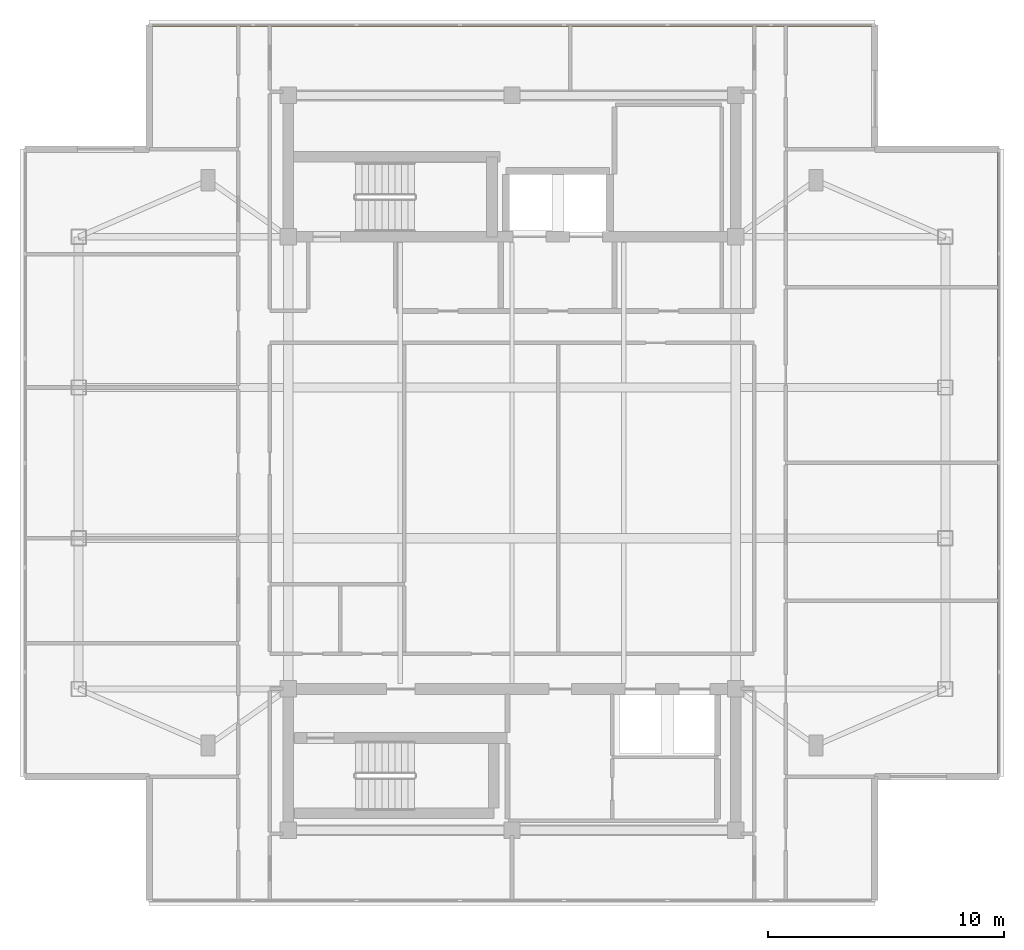
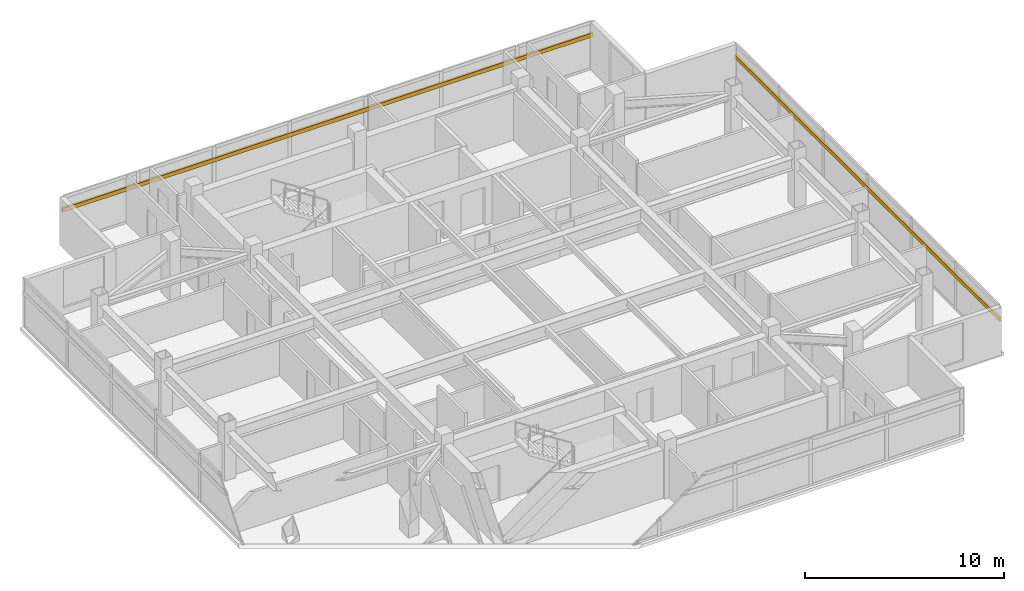
# One storey, part 11 of 11: 2 shading devices.
"""IFC4 building model written with IfcOpenShell, lengths in metres."""

from ifc_helpers import new_model, si_unit, direction, frame, origin, origin_2d, place, context, subcontext, project, spatial, rectangle, extrude, material, material_profile, profile_set, type_object, element, save


model = new_model("IFC4")

# Units and contexts
model_context = context("Model", 3, precision=1e-05, world=origin(), true_north=direction((0.0, 1.0)))
body_context = subcontext(model_context, "Body", "Model", "MODEL_VIEW")
ifc_project = project(units=[si_unit("LENGTHUNIT", "METRE"), si_unit("AREAUNIT", "SQUARE_METRE"), si_unit("VOLUMEUNIT", "CUBIC_METRE"), si_unit("PLANEANGLEUNIT", "RADIAN"), si_unit("MASSUNIT", "GRAM", prefix="KILO")], contexts=[model_context])

# Site, building, storey
site_placement = place(None, origin())
site = spatial("IfcSite", under=ifc_project, at=site_placement, CompositionType="ELEMENT")
building_placement = place(site_placement, origin())
building = spatial("IfcBuilding", under=site, at=building_placement, Name="Mirazonda Arch Towers", CompositionType="ELEMENT")
storey_placement = place(building_placement, frame((0.0, 0.0, 259.89990234375)))
storey = spatial("IfcBuildingStorey", under=building, at=storey_placement, Name="L74", CompositionType="ELEMENT", Elevation=259.89990234375)

# Shading devices
ifc_material = material(Name="Kiln-Fired Architectural Terracotta", Category="masonry")
ifc_material_profile = material_profile(ifc_material, rectangle(XDim=0.1201171875, YDim=0.239990234375, at=origin_2d()), Name="TERRA-BAG-120x240")
ifc_profile_set = profile_set([ifc_material_profile], Name="Kiln-Fired Architectural Terracotta")
shading_device_type = type_object("IfcShadingDeviceType", Name="BAGUETTE-1", PredefinedType="USERDEFINED", material=ifc_profile_set)
shading_device_1_placement = place(storey_placement, frame((41.169921875, 14.680908203125, 2.109619140625), z_axis=(0.0, 1.0, 0.0), x_axis=(-1.0, 0.0, 0.0)))
element("IfcShadingDevice", 1, at=shading_device_1_placement, inside=storey, type_object=shading_device_type, Name="L74 Glazed Terracotta Sun-Screen Baguette CW-L74-T1-E", ObjectType="BAGUETTE", PredefinedType="USERDEFINED", context=body_context, shape_type="SweptSolid", body=[
    extrude(rectangle(XDim=0.1201171875, YDim=0.239990234375, at=origin_2d()), origin(), (0.0, 0.0, 1.0), 26.63818359375),
])
shading_device_2_placement = place(storey_placement, frame((5.094970703125, 46.583984375, 2.109619140625), z_axis=(1.0, 0.0, 0.0), x_axis=(0.0, 1.0, 0.0)))
element("IfcShadingDevice", 2, at=shading_device_2_placement, inside=storey, type_object=shading_device_type, Name="L74 Glazed Terracotta Sun-Screen Baguette CW-L74-T1-N", ObjectType="BAGUETTE", PredefinedType="USERDEFINED", context=body_context, shape_type="SweptSolid", body=[
    extrude(rectangle(XDim=0.1201171875, YDim=0.239990234375, at=origin_2d()), origin(), (0.0, 0.0, 1.0), 30.81005859375),
])

save(model, "model.ifc")
